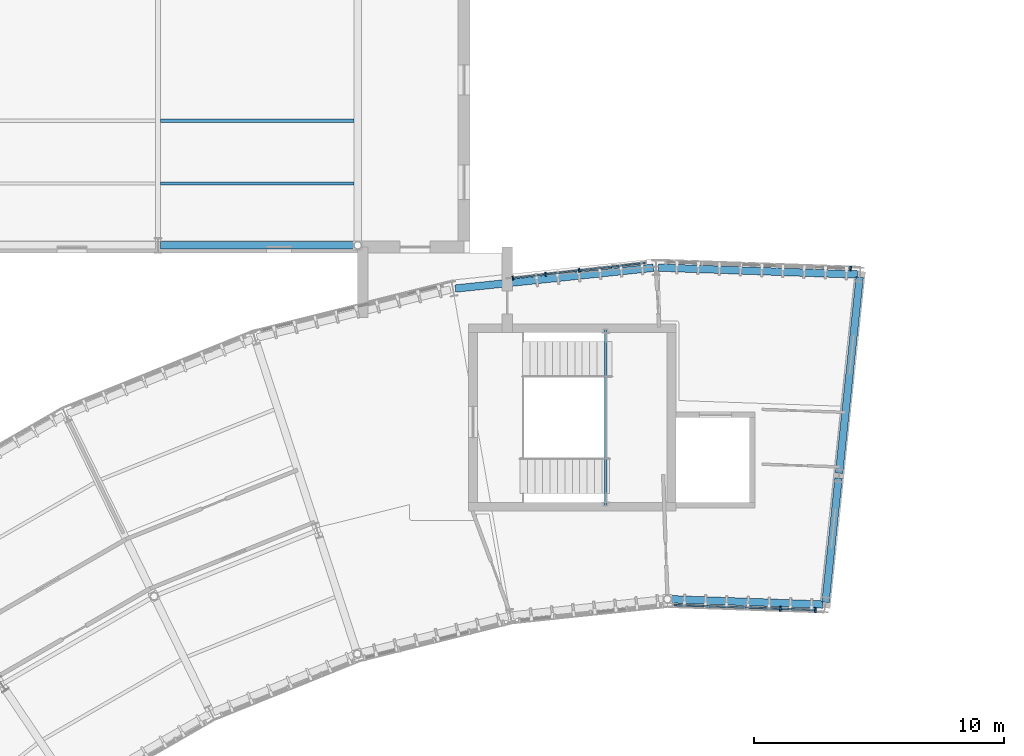
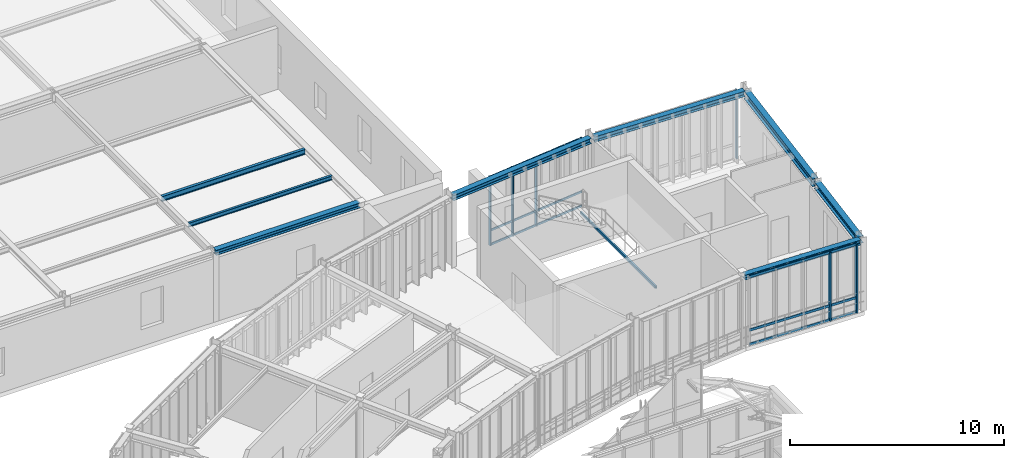
# One storey, part 88 of 148: 13 members, 8 beams, 3 elements without a shape of their own.
"""IFC4 building model written with IfcOpenShell, lengths in metres."""

from ifc_helpers import new_model, si_unit, direction, frame, origin, origin_2d, place, context, subcontext, project, spatial, rectangle, hollow_rectangle, i_section, extrude, material, layer, layer_set, material_profile, profile_set, type_object, element, aggregate, save


model = new_model("IFC4")

# Units and contexts
model_context = context("Model", 3, precision=1e-05, world=origin(), true_north=direction((0.0, 1.0)))
body_context = subcontext(model_context, "Body", "Model", "MODEL_VIEW")
ifc_project = project(units=[si_unit("LENGTHUNIT", "METRE"), si_unit("AREAUNIT", "SQUARE_METRE"), si_unit("VOLUMEUNIT", "CUBIC_METRE"), si_unit("PLANEANGLEUNIT", "RADIAN"), si_unit("MASSUNIT", "GRAM", prefix="KILO"), si_unit("THERMODYNAMICTEMPERATUREUNIT", "KELVIN"), si_unit("POWERUNIT", "WATT")], contexts=[model_context])

# Site, building, storey
site_placement = place(None, origin())
site = spatial("IfcSite", under=ifc_project, at=site_placement, CompositionType="ELEMENT")
building_placement = place(site_placement, origin())
building = spatial("IfcBuilding", under=site, at=building_placement, Name="Solvatero Civic Police Headquarters", CompositionType="ELEMENT")
storey_placement = place(building_placement, frame((0.0, 0.0, 5.10009765625)))
storey = spatial("IfcBuildingStorey", under=building, at=storey_placement, Name="L01", CompositionType="ELEMENT", Elevation=5.10009765625)

# Beams
ifc_material_1 = material(Name="Steel S355", Category="steel")
ifc_material_profile_1 = material_profile(ifc_material_1, i_section(OverallWidth=0.300048828125, OverallDepth=0.2900390625, WebThickness=0.008544921875, FlangeThickness=0.013916015625, FilletRadius=0.027099609375, at=origin_2d()), Name="HEA 300")
ifc_profile_set_1 = profile_set([ifc_material_profile_1], Name="Steel S355")
beam_type_1 = type_object("IfcBeamType", Name="BM-ST-HEA300", PredefinedType="SPANDREL", material=ifc_profile_set_1)
beam_1_placement = place(storey_placement, frame((72.10009765625, 85.5, 3.794921875), z_axis=(1.0, 0.0, 0.0), x_axis=(0.0, 1.0, 0.0)))
element("IfcBeam", 1, at=beam_1_placement, inside=storey, type_object=beam_type_1, Name="Perimeter / radial spandrel beam BM-R2-L01-V7E-GX-2-1", PredefinedType="SPANDREL", context=body_context, shape_type="SweptSolid", body=[
    extrude(i_section(OverallWidth=0.300048828125, OverallDepth=0.2900390625, WebThickness=0.008544921875, FlangeThickness=0.013916015625, FilletRadius=0.027099609375, at=origin_2d()), origin(), (0.0, 0.0, 1.0), 7.7998046875),
])
beam_2_placement = place(storey_placement, frame((98.640380859375, 71.10498046875, 3.8349609375), z_axis=(-0.999390615504, 0.034905553175, 0.0), x_axis=(-0.034905553175, -0.999390615504, 0.0)))
element("IfcBeam", 2, at=beam_2_placement, inside=storey, type_object=beam_type_1, Name="Perimeter / radial spandrel beam BM-R2-L01-ARC-CIN-B01", PredefinedType="SPANDREL", context=body_context, shape_type="SweptSolid", body=[
    extrude(i_section(OverallWidth=0.300048828125, OverallDepth=0.2900390625, WebThickness=0.008544921875, FlangeThickness=0.013916015625, FilletRadius=0.027099609375, at=origin_2d()), origin(), (0.0, 0.0, 1.0), 6.126953125),
])
ifc_material_profile_2 = material_profile(ifc_material_1, i_section(OverallWidth=0.300048828125, OverallDepth=0.31005859375, WebThickness=0.009033203125, FlangeThickness=0.015380859375, FilletRadius=0.027099609375, at=origin_2d()), Name="HEA 320")
ifc_profile_set_2 = profile_set([ifc_material_profile_2], Name="Steel S355")
beam_type_2 = type_object("IfcBeamType", Name="BM-ST-HEA320", PredefinedType="SPANDREL", material=ifc_profile_set_2)
beam_3_placement = place(storey_placement, frame((100.03076171875, 84.332275390625, 3.824951171875), z_axis=(-0.999390940069, 0.034896259223, 0.0), x_axis=(-0.034896259223, -0.999390940069, 0.0)))
element("IfcBeam", 3, at=beam_3_placement, inside=storey, type_object=beam_type_2, Name="Perimeter / radial spandrel beam BM-R2-L01-ARC-COUT-B01", PredefinedType="SPANDREL", context=body_context, shape_type="SweptSolid", body=[
    extrude(i_section(OverallWidth=0.300048828125, OverallDepth=0.31005859375, WebThickness=0.009033203125, FlangeThickness=0.015380859375, FilletRadius=0.027099609375, at=origin_2d()), origin(), (0.0, 0.0, 1.0), 7.982666015625),
])
beam_4_placement = place(storey_placement, frame((91.853515625, 84.603759765625, 3.824951171875), z_axis=(-0.994523705386, -0.10451124066, 0.0), x_axis=(0.10451124066, -0.994523705386, 0.0)))
element("IfcBeam", 4, at=beam_4_placement, inside=storey, type_object=beam_type_2, Name="Perimeter / radial spandrel beam BM-R2-L01-ARC-COUT-B02", PredefinedType="SPANDREL", context=body_context, shape_type="SweptSolid", body=[
    extrude(i_section(OverallWidth=0.300048828125, OverallDepth=0.31005859375, WebThickness=0.009033203125, FlangeThickness=0.015380859375, FilletRadius=0.027099609375, at=origin_2d()), origin(), (0.0, 0.0, 1.0), 7.982177734375),
])
ifc_material_profile_3 = material_profile(ifc_material_1, i_section(OverallWidth=0.300048828125, OverallDepth=0.389892578125, WebThickness=0.010986328125, FlangeThickness=0.01904296875, FilletRadius=0.027099609375, at=origin_2d()), Name="HEA 400")
ifc_profile_set_3 = profile_set([ifc_material_profile_3], Name="Steel S355")
beam_type_3 = type_object("IfcBeamType", Name="BM-ST-HEA400", PredefinedType="BEAM", material=ifc_profile_set_3)
beam_5_placement = place(storey_placement, frame((98.7509765625, 71.201171875, 3.784912109375), z_axis=(0.104496685935, 0.994525234787, 0.0), x_axis=(-0.994525234787, 0.104496685935, 0.0)))
element("IfcBeam", 5, at=beam_5_placement, inside=storey, type_object=beam_type_3, Name="Primary girder BM-R2-L01-ARC-RAD1-S00", PredefinedType="BEAM", context=body_context, shape_type="SweptSolid", body=[
    extrude(i_section(OverallWidth=0.300048828125, OverallDepth=0.389892578125, WebThickness=0.010986328125, FlangeThickness=0.01904296875, FilletRadius=0.027099609375, at=origin_2d()), origin(), (0.0, 0.0, 1.0), 4.999755859375),
])
ifc_material_profile_4 = material_profile(ifc_material_1, i_section(OverallWidth=0.300048828125, OverallDepth=0.43994140625, WebThickness=0.011474609375, FlangeThickness=0.02099609375, FilletRadius=0.027099609375, at=origin_2d()), Name="HEA 450")
ifc_profile_set_4 = profile_set([ifc_material_profile_4], Name="Steel S355")
beam_type_4 = type_object("IfcBeamType", Name="BM-ST-HEA450", PredefinedType="BEAM", material=ifc_profile_set_4)
beam_6_placement = place(storey_placement, frame((99.29443359375, 76.37255859375, 3.760009765625), z_axis=(0.104517477854, 0.99452304992, 0.0), x_axis=(-0.99452304992, 0.104517477854, 0.0)))
element("IfcBeam", 6, at=beam_6_placement, inside=storey, type_object=beam_type_4, Name="Primary girder BM-R2-L01-ARC-RAD2-S00", PredefinedType="BEAM", context=body_context, shape_type="SweptSolid", body=[
    extrude(i_section(OverallWidth=0.300048828125, OverallDepth=0.43994140625, WebThickness=0.011474609375, FlangeThickness=0.02099609375, FilletRadius=0.027099609375, at=origin_2d()), origin(), (0.0, 0.0, 1.0), 7.89990234375),
])
ifc_material_profile_5 = material_profile(ifc_material_1, i_section(OverallWidth=0.1201171875, OverallDepth=0.239990234375, WebThickness=0.006103515625, FlangeThickness=0.009765625, FilletRadius=0.014892578125, at=origin_2d()), Name="IPE 240")
ifc_profile_set_5 = profile_set([ifc_material_profile_5], Name="Steel S355")
beam_type_5 = type_object("IfcBeamType", Name="BM-ST-IPE240", PredefinedType="BEAM", material=ifc_profile_set_5)
beam_7_placement = place(storey_placement, frame((72.10009765625, 87.97998046875, 3.81982421875), z_axis=(1.0, 0.0, 0.0), x_axis=(0.0, 1.0, 0.0)))
element("IfcBeam", 7, at=beam_7_placement, inside=storey, type_object=beam_type_5, Name="Composite floor beam BM-R2-L01-V7COR-N2", PredefinedType="BEAM", context=body_context, shape_type="SweptSolid", body=[
    extrude(i_section(OverallWidth=0.1201171875, OverallDepth=0.239990234375, WebThickness=0.006103515625, FlangeThickness=0.009765625, FilletRadius=0.014892578125, at=origin_2d()), origin(), (0.0, 0.0, 1.0), 7.75),
])
ifc_material_profile_6 = material_profile(ifc_material_1, i_section(OverallWidth=0.14990234375, OverallDepth=0.300048828125, WebThickness=0.007080078125, FlangeThickness=0.0107421875, FilletRadius=0.014892578125, at=origin_2d()), Name="IPE 300")
ifc_profile_set_6 = profile_set([ifc_material_profile_6], Name="Steel S355")
beam_type_6 = type_object("IfcBeamType", Name="BM-ST-IPE300", PredefinedType="BEAM", material=ifc_profile_set_6)
beam_8_placement = place(storey_placement, frame((72.10009765625, 90.5, 3.789794921875), z_axis=(1.0, 0.0, 0.0), x_axis=(0.0, 1.0, 0.0)))
element("IfcBeam", 8, at=beam_8_placement, inside=storey, type_object=beam_type_6, Name="Composite floor beam BM-R2-L01-V7E-SEC-2-1-S1", PredefinedType="BEAM", context=body_context, shape_type="SweptSolid", body=[
    extrude(i_section(OverallWidth=0.14990234375, OverallDepth=0.300048828125, WebThickness=0.007080078125, FlangeThickness=0.0107421875, FilletRadius=0.014892578125, at=origin_2d()), origin(), (0.0, 0.0, 1.0), 7.75),
])

# Curtain wall, members
ifc_material_2 = material(Name="Anodized Bronze Aluminium", Category="aluminium")
ifc_layer_1 = layer(ifc_material_2, 0.179931640625)
ifc_layer_set_1 = layer_set([ifc_layer_1], Name="Anodized Bronze Aluminium")
curtain_wall_type_1 = type_object("IfcCurtainWallType", Name="CW-ARC-OUT", PredefinedType="USERDEFINED", material=ifc_layer_set_1)
curtain_wall_1_placement = place(storey_placement, origin())
curtain_wall_1 = element("IfcCurtainWall", 9, at=curtain_wall_1_placement, inside=storey, type_object=curtain_wall_type_1, Name="Curtain Wall CW-R2-L01-ARC-OUT-B02E", ObjectType="UNITISED", PredefinedType="USERDEFINED")
ifc_material_profile_7 = material_profile(ifc_material_2, rectangle(XDim=0.06005859375, YDim=0.159912109375, at=origin_2d()), Name="ALU MULLION 60x160")
ifc_profile_set_7 = profile_set([ifc_material_profile_7], Name="Anodized Bronze Aluminium")
member_type_1 = type_object("IfcMemberType", Name="CWM-180x70", PredefinedType="MULLION", material=ifc_profile_set_7)
member_1_placement = place(storey_placement, frame((88.87939453125, 84.49462890625, 0.0), z_axis=(0.0, 0.0, 1.0), x_axis=(-0.99356395018, -0.113272577893, 0.0)))
member_1 = element("IfcMember", 10, at=member_1_placement, type_object=member_type_1, Name="CW-R2-L01-ARC-OUT-B02E Mullion 3", PredefinedType="MULLION", context=body_context, shape_type="SweptSolid", body=[
    extrude(rectangle(XDim=0.06005859375, YDim=0.159912109375, at=origin_2d()), origin(), (0.0, 0.0, 1.0), 3.93994140625),
])
member_2_placement = place(storey_placement, frame((87.529541015625, 84.3408203125, 0.0), z_axis=(0.0, 0.0, 1.0), x_axis=(-0.99356395018, -0.113272577893, 0.0)))
member_2 = element("IfcMember", 11, at=member_2_placement, type_object=member_type_1, Name="CW-R2-L01-ARC-OUT-B02E Mullion 4", PredefinedType="MULLION", context=body_context, shape_type="SweptSolid", body=[
    extrude(rectangle(XDim=0.06005859375, YDim=0.159912109375, at=origin_2d()), origin(), (0.0, 0.0, 1.0), 3.93994140625),
])
member_3_placement = place(storey_placement, frame((86.21923828125, 84.19140625, 0.0), z_axis=(0.0, 0.0, 1.0), x_axis=(-0.99356395018, -0.113272577893, 0.0)))
member_3 = element("IfcMember", 12, at=member_3_placement, type_object=member_type_1, Name="CW-R2-L01-ARC-OUT-B02E Mullion 5", PredefinedType="MULLION", context=body_context, shape_type="SweptSolid", body=[
    extrude(rectangle(XDim=0.06005859375, YDim=0.159912109375, at=origin_2d()), origin(), (0.0, 0.0, 1.0), 3.93994140625),
])

# Curtain wall, member
curtain_wall_2_placement = place(storey_placement, origin())
curtain_wall_2 = element("IfcCurtainWall", 13, at=curtain_wall_2_placement, inside=storey, type_object=curtain_wall_type_1, Name="Curtain Wall CW-R2-L01-ARC-OUT-B01", ObjectType="UNITISED", PredefinedType="USERDEFINED")
ifc_material_profile_8 = material_profile(ifc_material_2, rectangle(XDim=0.06494140625, YDim=0.179931640625, at=origin_2d()), Name="ALU MULLION 65x180")
ifc_profile_set_8 = profile_set([ifc_material_profile_8], Name="Anodized Bronze Aluminium")
member_type_2 = type_object("IfcMemberType", Name="CWM-200x75", PredefinedType="MULLION", material=ifc_profile_set_8)
member_4_placement = place(storey_placement, frame((99.7587890625, 84.5712890625, 0.0), z_axis=(0.0, 0.0, 1.0), x_axis=(-0.999390827019, 0.034899496703, 0.0)))
member_4 = element("IfcMember", 14, at=member_4_placement, type_object=member_type_2, Name="CW-R2-L01-ARC-OUT-B01 Mullion 1", PredefinedType="MULLION", context=body_context, shape_type="SweptSolid", body=[
    extrude(rectangle(XDim=0.06494140625, YDim=0.179931640625, at=origin_2d()), origin(), (0.0, 0.0, 1.0), 3.93994140625),
])
aggregate(curtain_wall_2, [member_4])

# Curtain wall, members
ifc_layer_2 = layer(ifc_material_2, 0.179931640625)
ifc_layer_set_2 = layer_set([ifc_layer_2], Name="Anodized Bronze Aluminium")
curtain_wall_type_2 = type_object("IfcCurtainWallType", Name="CW-ARC-IN", PredefinedType="USERDEFINED", material=ifc_layer_set_2)
curtain_wall_3_placement = place(storey_placement, origin())
curtain_wall_3 = element("IfcCurtainWall", 15, at=curtain_wall_3_placement, inside=storey, type_object=curtain_wall_type_2, Name="Curtain Wall CW-R2-L01-ARC-IN-B01", ObjectType="UNITISED", PredefinedType="USERDEFINED")
ifc_material_profile_9 = material_profile(ifc_material_2, rectangle(XDim=0.070068359375, YDim=0.199951171875, at=origin_2d()), Name="ALU MULLION 70x200")
ifc_profile_set_9 = profile_set([ifc_material_profile_9], Name="Anodized Bronze Aluminium")
member_type_3 = type_object("IfcMemberType", Name="CWM-220x80", PredefinedType="MULLION", material=ifc_profile_set_9)
member_5_placement = place(storey_placement, frame((98.342529296875, 70.885986328125, 0.0), z_axis=(0.0, 0.0, 1.0), x_axis=(-0.999390827019, 0.034899496703, 0.0)))
member_5 = element("IfcMember", 16, at=member_5_placement, type_object=member_type_3, Name="CW-R2-L01-ARC-IN-B01 Mullion 1", PredefinedType="MULLION", context=body_context, shape_type="SweptSolid", body=[
    extrude(rectangle(XDim=0.070068359375, YDim=0.199951171875, at=origin_2d()), origin(), (0.0, 0.0, 1.0), 3.93994140625),
])
member_6_placement = place(storey_placement, frame((96.939697265625, 70.934814453125, 0.0), z_axis=(0.0, 0.0, 1.0), x_axis=(-0.999390827019, 0.034899496703, 0.0)))
member_6 = element("IfcMember", 17, at=member_6_placement, type_object=member_type_3, Name="CW-R2-L01-ARC-IN-B01 Mullion 2", PredefinedType="MULLION", context=body_context, shape_type="SweptSolid", body=[
    extrude(rectangle(XDim=0.070068359375, YDim=0.199951171875, at=origin_2d()), origin(), (0.0, 0.0, 1.0), 3.93994140625),
])

# Member
ifc_material_profile_10 = material_profile(ifc_material_2, rectangle(XDim=0.06005859375, YDim=0.110107421875, at=origin_2d()), Name="ALU TRANSOM 60x110")
ifc_profile_set_10 = profile_set([ifc_material_profile_10], Name="Anodized Bronze Aluminium")
member_type_4 = type_object("IfcMemberType", Name="CWT-140x60", PredefinedType="USERDEFINED", material=ifc_profile_set_10)
member_7_placement = place(storey_placement, frame((91.52978515625, 84.796630859375, 0.039794921875), z_axis=(-0.993564935888, -0.113263931478, 0.0), x_axis=(0.113263931478, -0.993564935888, 0.0)))
member_7 = element("IfcMember", 18, at=member_7_placement, type_object=member_type_4, Name="CW-R2-L01-ARC-OUT-B02E Transom 1", ObjectType="TRANSOM", PredefinedType="USERDEFINED", context=body_context, shape_type="SweptSolid", body=[
    extrude(rectangle(XDim=0.06005859375, YDim=0.110107421875, at=origin_2d()), origin(), (0.0, 0.0, 1.0), 5.3349609375),
])

member_8_placement = place(storey_placement, frame((91.52978515625, 84.796630859375, 0.849853515625), z_axis=(-0.993564935888, -0.113263931478, 0.0), x_axis=(0.113263931478, -0.993564935888, 0.0)))
member_8 = element("IfcMember", 19, at=member_8_placement, type_object=member_type_4, Name="CW-R2-L01-ARC-OUT-B02E Transom 2", ObjectType="TRANSOM", PredefinedType="USERDEFINED", context=body_context, shape_type="SweptSolid", body=[
    extrude(rectangle(XDim=0.06005859375, YDim=0.110107421875, at=origin_2d()), origin(), (0.0, 0.0, 1.0), 5.3349609375),
])

member_9_placement = place(storey_placement, frame((91.52978515625, 84.796630859375, 3.89990234375), z_axis=(-0.993564935888, -0.113263931478, 0.0), x_axis=(0.113263931478, -0.993564935888, 0.0)))
member_9 = element("IfcMember", 20, at=member_9_placement, type_object=member_type_4, Name="CW-R2-L01-ARC-OUT-B02E Transom 3", ObjectType="TRANSOM", PredefinedType="USERDEFINED", context=body_context, shape_type="SweptSolid", body=[
    extrude(rectangle(XDim=0.06005859375, YDim=0.110107421875, at=origin_2d()), origin(), (0.0, 0.0, 1.0), 5.3349609375),
])

aggregate(curtain_wall_1, [member_1, member_2, member_3, member_7, member_8, member_9])

ifc_material_profile_11 = material_profile(ifc_material_2, rectangle(XDim=0.06494140625, YDim=0.139892578125, at=origin_2d()), Name="ALU TRANSOM 65x140")
ifc_profile_set_11 = profile_set([ifc_material_profile_11], Name="Anodized Bronze Aluminium")
member_type_5 = type_object("IfcMemberType", Name="CWT-180x70", PredefinedType="USERDEFINED", material=ifc_profile_set_11)
member_10_placement = place(storey_placement, frame((98.33251953125, 70.88623046875, 0.039794921875), z_axis=(-0.9993911413, 0.034890495721, 0.0), x_axis=(-0.034890495721, -0.9993911413, 0.0)))
member_10 = element("IfcMember", 21, at=member_10_placement, type_object=member_type_5, Name="CW-R2-L01-ARC-IN-B01 Transom 1", ObjectType="TRANSOM", PredefinedType="USERDEFINED", context=body_context, shape_type="SweptSolid", body=[
    extrude(rectangle(XDim=0.06494140625, YDim=0.139892578125, at=origin_2d()), origin(), (0.0, 0.0, 1.0), 5.6748046875),
])

member_11_placement = place(storey_placement, frame((98.33251953125, 70.88623046875, 0.849853515625), z_axis=(-0.9993911413, 0.034890495721, 0.0), x_axis=(-0.034890495721, -0.9993911413, 0.0)))
member_11 = element("IfcMember", 22, at=member_11_placement, type_object=member_type_5, Name="CW-R2-L01-ARC-IN-B01 Transom 2", ObjectType="TRANSOM", PredefinedType="USERDEFINED", context=body_context, shape_type="SweptSolid", body=[
    extrude(rectangle(XDim=0.06494140625, YDim=0.139892578125, at=origin_2d()), origin(), (0.0, 0.0, 1.0), 5.6748046875),
])

member_12_placement = place(storey_placement, frame((98.33251953125, 70.88623046875, 3.89990234375), z_axis=(-0.9993911413, 0.034890495721, 0.0), x_axis=(-0.034890495721, -0.9993911413, 0.0)))
member_12 = element("IfcMember", 23, at=member_12_placement, type_object=member_type_5, Name="CW-R2-L01-ARC-IN-B01 Transom 3", ObjectType="TRANSOM", PredefinedType="USERDEFINED", context=body_context, shape_type="SweptSolid", body=[
    extrude(rectangle(XDim=0.06494140625, YDim=0.139892578125, at=origin_2d()), origin(), (0.0, 0.0, 1.0), 5.6748046875),
])

aggregate(curtain_wall_3, [member_5, member_6, member_10, member_11, member_12])

ifc_material_profile_12 = material_profile(ifc_material_1, hollow_rectangle(XDim=0.10009765625, YDim=0.14990234375, WallThickness=0.00634765625, InnerFilletRadius=0.00634765625, OuterFilletRadius=0.0126953125, at=origin_2d()), Name="RHS 150x100x6.3")
ifc_profile_set_12 = profile_set([ifc_material_profile_12], Name="Steel S355")
member_type_6 = type_object("IfcMemberType", Name="MB-BR-RHS150", PredefinedType="BRACE", material=ifc_profile_set_12)
member_13_placement = place(storey_placement, frame((89.93994140625, 75.080078125, 1.824951171875), z_axis=(0.0, 1.0, 0.0), x_axis=(-1.0, 0.0, 0.0)))
element("IfcMember", 24, at=member_13_placement, inside=storey, type_object=member_type_6, Name="ST-C3 L01 Landing Support Beam", PredefinedType="BRACE", context=body_context, shape_type="SweptSolid", body=[
    extrude(hollow_rectangle(XDim=0.10009765625, YDim=0.14990234375, WallThickness=0.00634765625, InnerFilletRadius=0.00634765625, OuterFilletRadius=0.0126953125, at=origin_2d()), origin(), (0.0, 0.0, 1.0), 7.0400390625),
])

save(model, "model.ifc")
